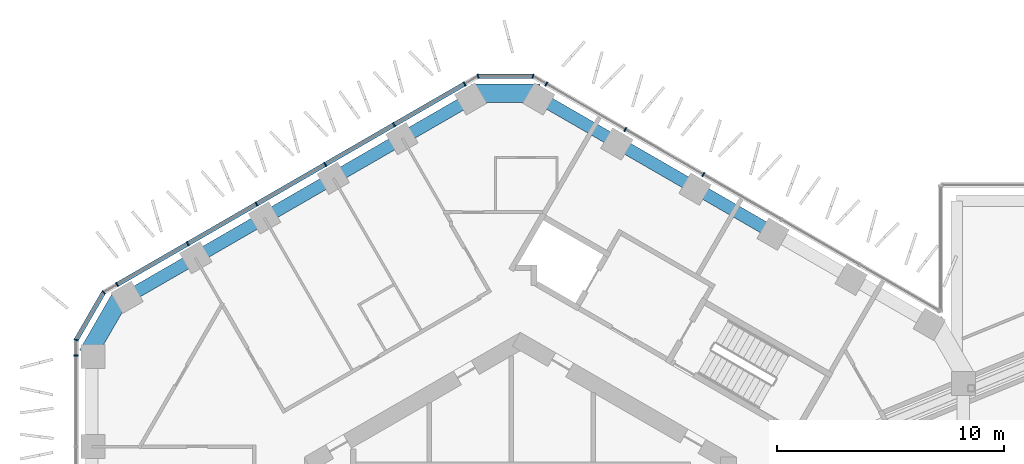
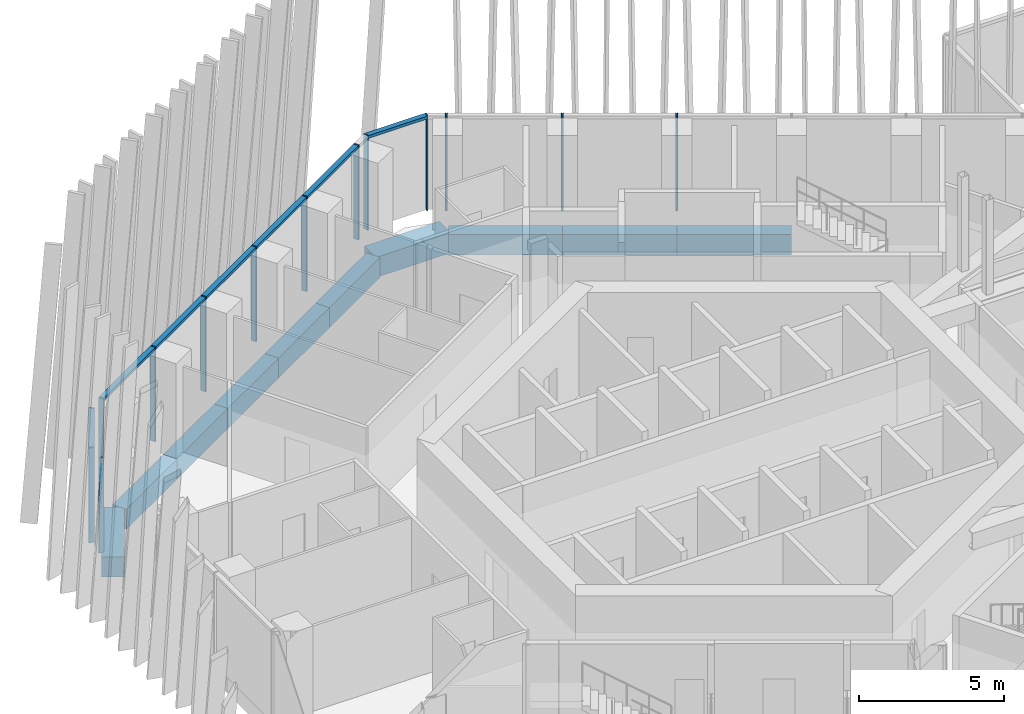
# One storey, part 8 of 28: 17 members, 10 beams, 5 elements without a shape of their own.
"""IFC4 building model written with IfcOpenShell, lengths in metres."""

from ifc_helpers import new_model, si_unit, direction, frame, origin, origin_2d, place, context, subcontext, project, spatial, rectangle, extrude, material, layer, layer_set, material_profile, profile_set, type_object, element, aggregate, save


model = new_model("IFC4")

# Units and contexts
model_context = context("Model", 3, precision=1e-05, world=origin(), true_north=direction((0.0, 1.0)))
body_context = subcontext(model_context, "Body", "Model", "MODEL_VIEW")
ifc_project = project(units=[si_unit("LENGTHUNIT", "METRE"), si_unit("AREAUNIT", "SQUARE_METRE"), si_unit("VOLUMEUNIT", "CUBIC_METRE"), si_unit("PLANEANGLEUNIT", "RADIAN"), si_unit("MASSUNIT", "GRAM", prefix="KILO")], contexts=[model_context])

# Site, building, storey
site_placement = place(None, origin())
site = spatial("IfcSite", under=ifc_project, at=site_placement, CompositionType="ELEMENT")
building_placement = place(site_placement, origin())
building = spatial("IfcBuilding", under=site, at=building_placement, Name="Ayvan Gate Tower", CompositionType="ELEMENT")
storey_placement = place(building_placement, frame((0.0, 0.0, 120.5)))
storey = spatial("IfcBuildingStorey", under=building, at=storey_placement, Name="L32", CompositionType="ELEMENT", Elevation=120.5)

# Beams
ifc_material_1 = material(Name="Concrete C40/50", Category="concrete")
ifc_material_profile_1 = material_profile(ifc_material_1, rectangle(XDim=0.800048828125, YDim=0.85009765625, at=origin_2d()), Name="RC 800x850")
ifc_profile_set_1 = profile_set([ifc_material_profile_1], Name="Concrete C40/50")
beam_type_1 = type_object("IfcBeamType", Name="Corner spandrel beam RC 800x850 C40/50", PredefinedType="BEAM", material=ifc_profile_set_1)
for number, where, z_axis, x_axis, name in (
    (1, (0.861572265625, 21.4853515625, -0.824951171875), (-1.0, 0.0, 0.0), (0.0, -1.0, 0.0), "SB-L32-12"),
    (2, (-17.53759765625, 12.5947265625, -0.824951171875), (-0.499990139034, -0.866031096941, 0.0), (0.866031096941, -0.499990139034, 0.0), "SB-L32-18"),
):
    element("IfcBeam", number, at=place(storey_placement, frame(where, z_axis=z_axis, x_axis=x_axis)), inside=storey, type_object=beam_type_1, Name=name, PredefinedType="BEAM", context=body_context, shape_type="SweptSolid", body=[
        extrude(rectangle(XDim=0.800048828125, YDim=0.85009765625, at=origin_2d()), origin(), (0.0, 0.0, 1.0), 3.0),
    ])
ifc_material_profile_2 = material_profile(ifc_material_1, rectangle(XDim=0.550048828125, YDim=0.85009765625, at=origin_2d()), Name="RC 550x850")
ifc_profile_set_2 = profile_set([ifc_material_profile_2], Name="Concrete C40/50")
beam_type_2 = type_object("IfcBeamType", Name="Spandrel beam RC 550x850 C40/50", PredefinedType="BEAM", material=ifc_profile_set_2)
for number, where, z_axis, x_axis, name in (
    (3, (11.135986328125, 15.33349609375, -0.824951171875), (-0.866027263711, 0.4999967785, 0.0), (-0.4999967785, -0.866027263711, 0.0), "SB-L32-9"),
    (4, (7.711181640625, 17.310791015625, -0.824951171875), (-0.866027263711, 0.4999967785, 0.0), (-0.4999967785, -0.866027263711, 0.0), "SB-L32-10"),
    (5, (4.286376953125, 19.2880859375, -0.824951171875), (-0.866027263711, 0.4999967785, 0.0), (-0.4999967785, -0.866027263711, 0.0), "SB-L32-11"),
):
    element("IfcBeam", number, at=place(storey_placement, frame(where, z_axis=z_axis, x_axis=x_axis)), inside=storey, type_object=beam_type_2, Name=name, PredefinedType="BEAM", context=body_context, shape_type="SweptSolid", body=[
        extrude(rectangle(XDim=0.550048828125, YDim=0.85009765625, at=origin_2d()), origin(), (0.0, 0.0, 1.0), 3.95458984375),
    ])
for number, where, z_axis, x_axis, name in (
    (6, (-2.138427734375, 21.265380859375, -0.824951171875), (-0.866031634313, -0.499989208252, 0.0), (0.499989208252, -0.866031634313, 0.0), "SB-L32-13"),
    (7, (-5.18017578125, 19.50927734375, -0.824951171875), (-0.866031634313, -0.499989208252, 0.0), (0.499989208252, -0.866031634313, 0.0), "SB-L32-14"),
):
    element("IfcBeam", number, at=place(storey_placement, frame(where, z_axis=z_axis, x_axis=x_axis)), inside=storey, type_object=beam_type_2, Name=name, PredefinedType="BEAM", context=body_context, shape_type="SweptSolid", body=[
        extrude(rectangle(XDim=0.550048828125, YDim=0.85009765625, at=origin_2d()), origin(), (0.0, 0.0, 1.0), 3.51220703125),
    ])
beam_placement = place(storey_placement, frame((-8.221923828125, 17.753173828125, -0.824951171875), z_axis=(-0.866001535283, -0.500041339179, 0.0), x_axis=(0.500041339179, -0.866001535283, 0.0)))
element("IfcBeam", 8, at=beam_placement, inside=storey, type_object=beam_type_2, Name="SB-L32-15", PredefinedType="BEAM", context=body_context, shape_type="SweptSolid", body=[
    extrude(rectangle(XDim=0.550048828125, YDim=0.85009765625, at=origin_2d()), origin(), (0.0, 0.0, 1.0), 3.512451171875),
])
for number, where, z_axis, x_axis, name in (
    (9, (-11.263671875, 15.996826171875, -0.824951171875), (-0.866031634313, -0.499989208252, 0.0), (0.499989208252, -0.866031634313, 0.0), "SB-L32-16"),
    (10, (-14.305419921875, 14.24072265625, -0.824951171875), (-0.866031634313, -0.499989208252, 0.0), (0.499989208252, -0.866031634313, 0.0), "SB-L32-17"),
):
    element("IfcBeam", number, at=place(storey_placement, frame(where, z_axis=z_axis, x_axis=x_axis)), inside=storey, type_object=beam_type_2, Name=name, PredefinedType="BEAM", context=body_context, shape_type="SweptSolid", body=[
        extrude(rectangle(XDim=0.550048828125, YDim=0.85009765625, at=origin_2d()), origin(), (0.0, 0.0, 1.0), 3.51220703125),
    ])

# Curtain wall, members
ifc_material_2 = material(Name="Bronze anodised aluminium", Category="aluminium")
ifc_layer_1 = layer(ifc_material_2, 0.199951171875)
ifc_layer_set_1 = layer_set([ifc_layer_1], Name="Bronze anodised aluminium")
curtain_wall_type_1 = type_object("IfcCurtainWallType", Name="Stick curtain wall CW-1", PredefinedType="NOTDEFINED", material=ifc_layer_set_1)
curtain_wall_1_placement = place(storey_placement, origin())
curtain_wall_1 = element("IfcCurtainWall", 11, at=curtain_wall_1_placement, inside=storey, type_object=curtain_wall_type_1, Name="Stick curtain wall CW-1 L32", PredefinedType="NOTDEFINED")
ifc_material_profile_3 = material_profile(ifc_material_2, rectangle(XDim=0.199951171875, YDim=0.06005859375, at=origin_2d()), Name="Stick curtain wall CW-1 mullion 200 x 60")
ifc_profile_set_3 = profile_set([ifc_material_profile_3], Name="Bronze anodised aluminium")
member_type_1 = type_object("IfcMemberType", Name="Stick curtain wall CW-1 mullion 200 x 60", PredefinedType="MULLION", material=ifc_profile_set_3)
member_1_placement = place(storey_placement, frame((8.049072265625, 17.907470703125, 0.0), z_axis=(0.0, 0.0, 1.0), x_axis=(0.5, 0.866025403784, 0.0)))
member_1 = element("IfcMember", 12, at=member_1_placement, type_object=member_type_1, Name="CW-1 mullion 4", PredefinedType="MULLION", context=body_context, shape_type="SweptSolid", body=[
    extrude(rectangle(XDim=0.199951171875, YDim=0.06005859375, at=origin_2d()), origin(), (0.0, 0.0, 1.0), 4.0),
])
member_2_placement = place(storey_placement, frame((4.614501953125, 19.890380859375, 0.0), z_axis=(0.0, 0.0, 1.0), x_axis=(0.5, 0.866025403784, 0.0)))
member_2 = element("IfcMember", 13, at=member_2_placement, type_object=member_type_1, Name="CW-1 mullion 5", PredefinedType="MULLION", context=body_context, shape_type="SweptSolid", body=[
    extrude(rectangle(XDim=0.199951171875, YDim=0.06005859375, at=origin_2d()), origin(), (0.0, 0.0, 1.0), 4.0),
])
member_3_placement = place(storey_placement, frame((1.143310546875, 21.894287109375, 0.0), z_axis=(0.0, 0.0, 1.0), x_axis=(0.5, 0.866025403784, 0.0)))
member_3 = element("IfcMember", 14, at=member_3_placement, type_object=member_type_1, Name="CW-1 mullion 6", PredefinedType="MULLION", context=body_context, shape_type="SweptSolid", body=[
    extrude(rectangle(XDim=0.199951171875, YDim=0.06005859375, at=origin_2d()), origin(), (0.0, 0.0, 1.0), 4.0),
])
aggregate(curtain_wall_1, [member_1, member_2, member_3])

curtain_wall_2_placement = place(storey_placement, origin())
curtain_wall_2 = element("IfcCurtainWall", 15, at=curtain_wall_2_placement, inside=storey, type_object=curtain_wall_type_1, Name="Stick curtain wall CW-1 L32", PredefinedType="NOTDEFINED")
member_4_placement = place(storey_placement, frame((-2.448974609375, 21.894287109375, 0.0), z_axis=(0.0, 0.0, 1.0), x_axis=(-0.5, 0.866025403784, 0.0)))
member_4 = element("IfcMember", 16, at=member_4_placement, type_object=member_type_1, Name="CW-1 mullion 1", PredefinedType="MULLION", context=body_context, shape_type="SweptSolid", body=[
    extrude(rectangle(XDim=0.199951171875, YDim=0.06005859375, at=origin_2d()), origin(), (0.0, 0.0, 1.0), 4.0),
])
member_5_placement = place(storey_placement, frame((-5.559814453125, 20.098388671875, 0.0), z_axis=(0.0, 0.0, 1.0), x_axis=(-0.5, 0.866025403784, 0.0)))
member_5 = element("IfcMember", 17, at=member_5_placement, type_object=member_type_1, Name="CW-1 mullion 2", PredefinedType="MULLION", context=body_context, shape_type="SweptSolid", body=[
    extrude(rectangle(XDim=0.199951171875, YDim=0.06005859375, at=origin_2d()), origin(), (0.0, 0.0, 1.0), 4.0),
])
member_6_placement = place(storey_placement, frame((-8.582275390625, 18.353271484375, 0.0), z_axis=(0.0, 0.0, 1.0), x_axis=(-0.5, 0.866025403784, 0.0)))
member_6 = element("IfcMember", 18, at=member_6_placement, type_object=member_type_1, Name="CW-1 mullion 3", PredefinedType="MULLION", context=body_context, shape_type="SweptSolid", body=[
    extrude(rectangle(XDim=0.199951171875, YDim=0.06005859375, at=origin_2d()), origin(), (0.0, 0.0, 1.0), 4.0),
])
member_7_placement = place(storey_placement, frame((-11.603759765625, 16.60888671875, 0.0), z_axis=(0.0, 0.0, 1.0), x_axis=(-0.5, 0.866025403784, 0.0)))
member_7 = element("IfcMember", 19, at=member_7_placement, type_object=member_type_1, Name="CW-1 mullion 4", PredefinedType="MULLION", context=body_context, shape_type="SweptSolid", body=[
    extrude(rectangle(XDim=0.199951171875, YDim=0.06005859375, at=origin_2d()), origin(), (0.0, 0.0, 1.0), 4.0),
])
member_8_placement = place(storey_placement, frame((-14.626220703125, 14.86376953125, 0.0), z_axis=(0.0, 0.0, 1.0), x_axis=(-0.5, 0.866025403784, 0.0)))
member_8 = element("IfcMember", 20, at=member_8_placement, type_object=member_type_1, Name="CW-1 mullion 5", PredefinedType="MULLION", context=body_context, shape_type="SweptSolid", body=[
    extrude(rectangle(XDim=0.199951171875, YDim=0.06005859375, at=origin_2d()), origin(), (0.0, 0.0, 1.0), 4.0),
])
member_9_placement = place(storey_placement, frame((-17.736572265625, 13.068115234375, 0.0), z_axis=(0.0, 0.0, 1.0), x_axis=(-0.5, 0.866025403784, 0.0)))
member_9 = element("IfcMember", 21, at=member_9_placement, type_object=member_type_1, Name="CW-1 mullion 6", PredefinedType="MULLION", context=body_context, shape_type="SweptSolid", body=[
    extrude(rectangle(XDim=0.199951171875, YDim=0.06005859375, at=origin_2d()), origin(), (0.0, 0.0, 1.0), 4.0),
])

# Curtain wall, member
curtain_wall_3_placement = place(storey_placement, origin())
curtain_wall_3 = element("IfcCurtainWall", 22, at=curtain_wall_3_placement, inside=storey, type_object=curtain_wall_type_1, Name="Stick curtain wall CW-1 L32", PredefinedType="NOTDEFINED")
member_10_placement = place(storey_placement, frame((-19.53271484375, 9.95703125, 0.0), z_axis=(0.0, 0.0, 1.0), x_axis=(-1.0, 0.0, 0.0)))
member_10 = element("IfcMember", 23, at=member_10_placement, type_object=member_type_1, Name="CW-1 mullion 1", PredefinedType="MULLION", context=body_context, shape_type="SweptSolid", body=[
    extrude(rectangle(XDim=0.199951171875, YDim=0.06005859375, at=origin_2d()), origin(), (0.0, 0.0, 1.0), 4.0),
])
aggregate(curtain_wall_3, [member_10])

# Member
ifc_material_profile_4 = material_profile(ifc_material_2, rectangle(XDim=0.199951171875, YDim=0.1201171875, at=origin_2d()), Name="Stick curtain wall CW-1 transom 200 x 120")
ifc_profile_set_4 = profile_set([ifc_material_profile_4], Name="Bronze anodised aluminium")
member_type_2 = type_object("IfcMemberType", Name="Stick curtain wall CW-1 transom 200 x 120", PredefinedType="USERDEFINED", material=ifc_profile_set_4)
member_11_placement = place(storey_placement, frame((-2.448974609375, 21.894287109375, 3.93994140625), z_axis=(-0.866028512846, -0.499994614909, 0.0), x_axis=(0.499994614909, -0.866028512846, 0.0)))
member_11 = element("IfcMember", 24, at=member_11_placement, type_object=member_type_2, Name="CW-1 transom 1", ObjectType="TRANSOM", PredefinedType="USERDEFINED", context=body_context, shape_type="SweptSolid", body=[
    extrude(rectangle(XDim=0.199951171875, YDim=0.1201171875, at=origin_2d()), origin(), (0.0, 0.0, 1.0), 17.652587890625),
])

aggregate(curtain_wall_2, [member_4, member_5, member_6, member_7, member_8, member_9, member_11])

# Curtain wall, members
ifc_layer_2 = layer(ifc_material_2, 0.199951171875)
ifc_layer_set_2 = layer_set([ifc_layer_2], Name="Bronze anodised aluminium")
curtain_wall_type_2 = type_object("IfcCurtainWallType", Name="Stick curtain wall CW-6", PredefinedType="NOTDEFINED", material=ifc_layer_set_2)
curtain_wall_4_placement = place(storey_placement, origin())
curtain_wall_4 = element("IfcCurtainWall", 25, at=curtain_wall_4_placement, inside=storey, type_object=curtain_wall_type_2, Name="Stick curtain wall CW-6 L32", PredefinedType="NOTDEFINED")
ifc_material_profile_5 = material_profile(ifc_material_2, rectangle(XDim=0.199951171875, YDim=0.050048828125, at=origin_2d()), Name="Stick curtain wall CW-6 mullion 200 x 50")
ifc_profile_set_5 = profile_set([ifc_material_profile_5], Name="Bronze anodised aluminium")
member_type_3 = type_object("IfcMemberType", Name="Stick curtain wall CW-6 mullion 200 x 50", PredefinedType="MULLION", material=ifc_profile_set_5)
member_12_placement = place(storey_placement, frame((0.554443359375, 22.234375, 0.0), z_axis=(0.0, 0.0, 1.0), x_axis=(0.258819045103, 0.965925826289, 0.0)))
member_12 = element("IfcMember", 26, at=member_12_placement, type_object=member_type_3, Name="CW-6 mullion 2", PredefinedType="MULLION", context=body_context, shape_type="SweptSolid", body=[
    extrude(rectangle(XDim=0.199951171875, YDim=0.050048828125, at=origin_2d()), origin(), (0.0, 0.0, 1.0), 4.0),
])
member_13_placement = place(storey_placement, frame((-1.860107421875, 22.234375, 0.0), z_axis=(0.0, 0.0, 1.0), x_axis=(-0.258819045103, 0.965925826289, 0.0)))
member_13 = element("IfcMember", 27, at=member_13_placement, type_object=member_type_3, Name="CW-6 mullion 3", PredefinedType="MULLION", context=body_context, shape_type="SweptSolid", body=[
    extrude(rectangle(XDim=0.199951171875, YDim=0.050048828125, at=origin_2d()), origin(), (0.0, 0.0, 1.0), 4.0),
])

curtain_wall_5_placement = place(storey_placement, origin())
curtain_wall_5 = element("IfcCurtainWall", 28, at=curtain_wall_5_placement, inside=storey, type_object=curtain_wall_type_2, Name="Stick curtain wall CW-6 L32", PredefinedType="NOTDEFINED")
member_14_placement = place(storey_placement, frame((-18.325439453125, 12.72802734375, 0.0), z_axis=(0.0, 0.0, 1.0), x_axis=(-0.707106781187, 0.707106781187, 0.0)))
member_14 = element("IfcMember", 29, at=member_14_placement, type_object=member_type_3, Name="CW-6 mullion 2", PredefinedType="MULLION", context=body_context, shape_type="SweptSolid", body=[
    extrude(rectangle(XDim=0.199951171875, YDim=0.050048828125, at=origin_2d()), origin(), (0.0, 0.0, 1.0), 4.0),
])
member_15_placement = place(storey_placement, frame((-19.53271484375, 10.636962890625, 0.0), z_axis=(0.0, 0.0, 1.0), x_axis=(-0.965925826289, 0.258819045103, 0.0)))
member_15 = element("IfcMember", 30, at=member_15_placement, type_object=member_type_3, Name="CW-6 mullion 3", PredefinedType="MULLION", context=body_context, shape_type="SweptSolid", body=[
    extrude(rectangle(XDim=0.199951171875, YDim=0.050048828125, at=origin_2d()), origin(), (0.0, 0.0, 1.0), 4.0),
])

# Member
ifc_material_profile_6 = material_profile(ifc_material_2, rectangle(XDim=0.199951171875, YDim=0.1201171875, at=origin_2d()), Name="Stick curtain wall CW-6 transom 200 x 120")
ifc_profile_set_6 = profile_set([ifc_material_profile_6], Name="Bronze anodised aluminium")
member_type_4 = type_object("IfcMemberType", Name="Stick curtain wall CW-6 transom 200 x 120", PredefinedType="USERDEFINED", material=ifc_profile_set_6)
member_16_placement = place(storey_placement, frame((0.529541015625, 22.234375, 3.93994140625), z_axis=(-1.0, 0.0, 0.0), x_axis=(0.0, -1.0, 0.0)))
member_16 = element("IfcMember", 31, at=member_16_placement, type_object=member_type_4, Name="CW-6 transom 2", ObjectType="TRANSOM", PredefinedType="USERDEFINED", context=body_context, shape_type="SweptSolid", body=[
    extrude(rectangle(XDim=0.199951171875, YDim=0.1201171875, at=origin_2d()), origin(), (0.0, 0.0, 1.0), 2.36474609375),
])

aggregate(curtain_wall_4, [member_12, member_13, member_16])

member_17_placement = place(storey_placement, frame((-18.337890625, 12.706298828125, 3.93994140625), z_axis=(-0.500059108572, -0.865991274745, 0.0), x_axis=(0.865991274745, -0.500059108572, 0.0)))
member_17 = element("IfcMember", 32, at=member_17_placement, type_object=member_type_4, Name="CW-6 transom 2", ObjectType="TRANSOM", PredefinedType="USERDEFINED", context=body_context, shape_type="SweptSolid", body=[
    extrude(rectangle(XDim=0.199951171875, YDim=0.1201171875, at=origin_2d()), origin(), (0.0, 0.0, 1.0), 2.364501953125),
])

aggregate(curtain_wall_5, [member_14, member_15, member_17])

save(model, "model.ifc")
